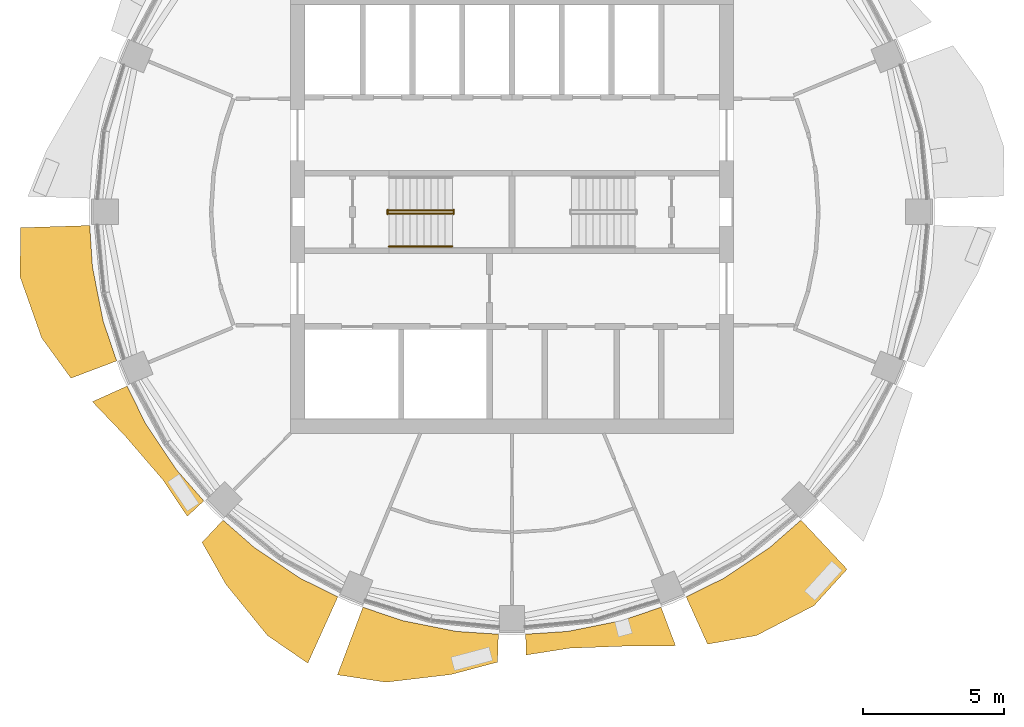
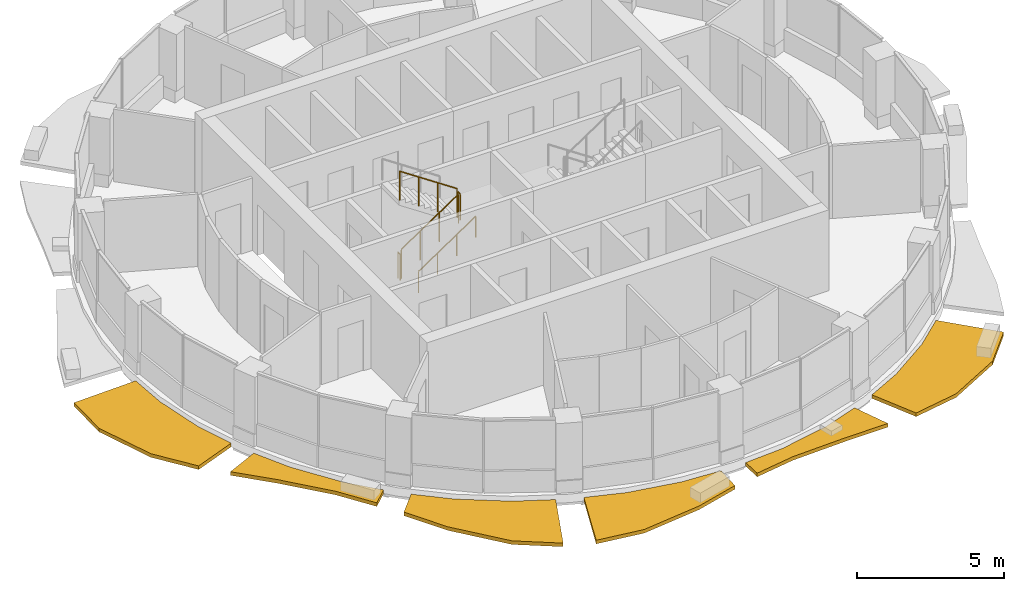
# One storey, part 11 of 14: 6 shading devices, 5 railings.
"""IFC4 building model written with IfcOpenShell, lengths in metres."""

from ifc_helpers import new_model, si_unit, direction, frame, origin, origin_2d, place, context, subcontext, project, spatial, polyline, circle, outline, extrude, material, type_object, element, save


model = new_model("IFC4")

# Units and contexts
model_context = context("Model", 3, precision=1e-05, world=origin(), true_north=direction((0.0, 1.0)))
body_context = subcontext(model_context, "Body", "Model", "MODEL_VIEW")
ifc_project = project(units=[si_unit("LENGTHUNIT", "METRE"), si_unit("AREAUNIT", "SQUARE_METRE"), si_unit("VOLUMEUNIT", "CUBIC_METRE"), si_unit("PLANEANGLEUNIT", "RADIAN"), si_unit("MASSUNIT", "GRAM", prefix="KILO")], contexts=[model_context])

# Site, building, storey
site_placement = place(None, origin())
site = spatial("IfcSite", under=ifc_project, at=site_placement, CompositionType="ELEMENT")
building_placement = place(site_placement, origin())
building = spatial("IfcBuilding", under=site, at=building_placement, Name="Polderwave Tower", CompositionType="ELEMENT")
storey_placement = place(building_placement, frame((0.0, 0.0, 227.85009765625)))
storey = spatial("IfcBuildingStorey", under=building, at=storey_placement, Name="L62", CompositionType="ELEMENT", Elevation=227.85009765625)

# Railings
ifc_material_1 = material(Name="Stainless steel", Category="steel")
railing_type_1 = type_object("IfcRailingType", Name="Stair guard 1100", PredefinedType="GUARDRAIL", material=ifc_material_1)
railing_1_placement = place(storey_placement, frame((-4.3740234375, -0.051025390625, 0.04736328125)))
element("IfcRailing", 1, at=railing_1_placement, inside=storey, type_object=railing_type_1, Name="L62 ST-A stair guard 1", PredefinedType="GUARDRAIL", context=body_context, shape_type="SweptSolid", body=[
    extrude(circle(Radius=0.02392578125, at=origin_2d()), frame((0.0, 0.0, 1.1962890625), z_axis=(0.830799990696, 0.0, 0.556571087517), x_axis=(0.0, 1.0, 0.0)), (0.0, 0.0, 1.0), 2.708251953125),
    extrude(circle(Radius=0.02392578125, at=origin_2d()), origin(), (0.0, 0.0, 1.0), 1.172119140625),
    extrude(circle(Radius=0.02392578125, at=origin_2d()), frame((0.75, 0.0, 0.50244140625)), (0.0, 0.0, 1.0), 1.172119140625),
    extrude(circle(Radius=0.02392578125, at=origin_2d()), frame((1.5, 0.0, 1.0048828125)), (0.0, 0.0, 1.0), 1.172119140625),
    extrude(circle(Radius=0.02392578125, at=origin_2d()), frame((2.25, 0.0, 1.50732421875)), (0.0, 0.0, 1.0), 1.172119140625),
])
railing_2_placement = place(storey_placement, frame((-2.073974609375, -0.074951171875, 1.6748046875)))
element("IfcRailing", 2, at=railing_2_placement, inside=storey, type_object=railing_type_1, Name="L62 ST-A stair guard 2", PredefinedType="GUARDRAIL", context=body_context, shape_type="SweptSolid", body=[
    extrude(circle(Radius=0.02392578125, at=origin_2d()), frame((0.0, 0.0, 1.076171875), z_axis=(0.0, 1.0, 0.0), x_axis=(-1.0, 0.0, 0.0)), (0.0, 0.0, 1.0), 0.14990234375),
    extrude(circle(Radius=0.02099609375, at=origin_2d()), origin(), (0.0, 0.0, 1.0), 1.052001953125),
    extrude(circle(Radius=0.02099609375, at=origin_2d()), frame((0.0, 0.14990234375, 0.0)), (0.0, 0.0, 1.0), 1.052001953125),
])
railing_3_placement = place(storey_placement, frame((-2.1240234375, 0.051025390625, 1.72216796875)))
element("IfcRailing", 3, at=railing_3_placement, inside=storey, type_object=railing_type_1, Name="L62 ST-A stair guard 3", PredefinedType="GUARDRAIL", context=body_context, shape_type="SweptSolid", body=[
    extrude(circle(Radius=0.02392578125, at=origin_2d()), frame((0.0, 0.0, 1.1962890625), z_axis=(-0.830758306289, 0.0, 0.556633305266), x_axis=(0.0, -1.0, 0.0)), (0.0, 0.0, 1.0), 2.708251953125),
    extrude(circle(Radius=0.02392578125, at=origin_2d()), origin(), (0.0, 0.0, 1.0), 1.172119140625),
    extrude(circle(Radius=0.02392578125, at=origin_2d()), frame((-0.75, 0.0, 0.50244140625)), (0.0, 0.0, 1.0), 1.172119140625),
    extrude(circle(Radius=0.02392578125, at=origin_2d()), frame((-1.5, 0.0, 1.005126953125)), (0.0, 0.0, 1.0), 1.172119140625),
    extrude(circle(Radius=0.02392578125, at=origin_2d()), frame((-2.25, 0.0, 1.507568359375)), (0.0, 0.0, 1.0), 1.172119140625),
])
railing_4_placement = place(storey_placement, frame((-4.424072265625, -0.074951171875, 0.0)))
element("IfcRailing", 4, at=railing_4_placement, inside=storey, type_object=railing_type_1, Name="L62 ST-A stair guard 4", PredefinedType="GUARDRAIL", context=body_context, shape_type="SweptSolid", body=[
    extrude(circle(Radius=0.02392578125, at=origin_2d()), frame((0.0, 0.0, 1.076171875), z_axis=(0.0, 1.0, 0.0), x_axis=(-1.0, 0.0, 0.0)), (0.0, 0.0, 1.0), 0.14990234375),
    extrude(circle(Radius=0.02099609375, at=origin_2d()), origin(), (0.0, 0.0, 1.0), 1.052001953125),
    extrude(circle(Radius=0.02099609375, at=origin_2d()), frame((0.0, 0.14990234375, 0.0)), (0.0, 0.0, 1.0), 1.052001953125),
])
railing_type_2 = type_object("IfcRailingType", Name="Stair handrail 900", PredefinedType="HANDRAIL", material=ifc_material_1)
railing_5_placement = place(storey_placement, frame((-4.3740234375, -1.22509765625, 0.16748046875)))
element("IfcRailing", 5, at=railing_5_placement, inside=storey, type_object=railing_type_2, Name="L62 ST-A stair handrail 1", PredefinedType="HANDRAIL", context=body_context, shape_type="SweptSolid", body=[
    extrude(circle(Radius=0.02392578125, at=origin_2d()), frame((0.0, 0.0, 0.8759765625), z_axis=(0.830799990696, 0.0, 0.556571087517), x_axis=(0.0, 1.0, 0.0)), (0.0, 0.0, 1.0), 2.708251953125),
    extrude(circle(Radius=0.02099609375, at=origin_2d()), origin(), (0.0, 0.0, 1.0), 0.851806640625),
    extrude(circle(Radius=0.02099609375, at=origin_2d()), frame((0.75, 0.0, 0.50244140625)), (0.0, 0.0, 1.0), 0.851806640625),
    extrude(circle(Radius=0.02099609375, at=origin_2d()), frame((1.5, 0.0, 1.0048828125)), (0.0, 0.0, 1.0), 0.851806640625),
    extrude(circle(Radius=0.02099609375, at=origin_2d()), frame((2.25, 0.0, 1.50732421875)), (0.0, 0.0, 1.0), 0.851806640625),
])

# Shading devices
ifc_material_2 = material(Name="Terracotta", Category="masonry")
shading_device_type = type_object("IfcShadingDeviceType", Name="Terracotta sunshade band", PredefinedType="USERDEFINED", material=ifc_material_2)
shading_device_1_placement = place(storey_placement, frame((0.0, 0.0, -0.35009765625)))
element("IfcShadingDevice", 6, at=shading_device_1_placement, inside=storey, type_object=shading_device_type, Name="Sunshade band L62 9", ObjectType="SUNSHADE", PredefinedType="USERDEFINED", context=body_context, shape_type="SweptSolid", body=[
    extrude(outline(polyline([(-15.018310546875, -0.482666015625), (-14.921142578125, -1.96435546875), (-14.537109375, -3.895263671875), (-14.059814453125, -5.30126953125), (-15.684814453125, -5.9140625), (-16.7265625, -4.48193359375), (-17.49755859375, -2.3037109375), (-17.476318359375, -0.561767578125), (-15.018310546875, -0.482666015625)])), origin(), (0.0, 0.0, 1.0), 0.14990234375),
])
shading_device_2_placement = place(storey_placement, frame((0.0, 0.0, -0.35009765625)))
element("IfcShadingDevice", 7, at=shading_device_2_placement, inside=storey, type_object=shading_device_type, Name="Sunshade band L62 10", ObjectType="SUNSHADE", PredefinedType="USERDEFINED", context=body_context, shape_type="SweptSolid", body=[
    extrude(outline(polyline([(-13.6904296875, -6.193359375), (-13.03369140625, -7.52490234375), (-11.93994140625, -9.161865234375), (-10.9609375, -10.2783203125), (-11.546630859375, -10.827392578125), (-12.417236328125, -9.528076171875), (-13.773681640625, -7.952392578125), (-14.924072265625, -6.751220703125), (-13.6904296875, -6.193359375)])), origin(), (0.0, 0.0, 1.0), 0.14990234375),
])
shading_device_3_placement = place(storey_placement, frame((0.0, 0.0, -0.35009765625)))
element("IfcShadingDevice", 8, at=shading_device_3_placement, inside=storey, type_object=shading_device_type, Name="Sunshade band L62 11", ObjectType="SUNSHADE", PredefinedType="USERDEFINED", context=body_context, shape_type="SweptSolid", body=[
    extrude(outline(polyline([(-10.2783203125, -10.9609375), (-9.161865234375, -11.93994140625), (-7.52490234375, -13.03369140625), (-6.193359375, -13.6904296875), (-7.260986328125, -16.05078125), (-8.69775390625, -15.06494140625), (-10.169921875, -13.253662109375), (-11.02294921875, -11.7548828125), (-10.2783203125, -10.9609375)])), origin(), (0.0, 0.0, 1.0), 0.14990234375),
])
shading_device_4_placement = place(storey_placement, frame((0.0, 0.0, -0.35009765625)))
element("IfcShadingDevice", 9, at=shading_device_4_placement, inside=storey, type_object=shading_device_type, Name="Sunshade band L62 12", ObjectType="SUNSHADE", PredefinedType="USERDEFINED", context=body_context, shape_type="SweptSolid", body=[
    extrude(outline(polyline([(-5.30126953125, -14.059814453125), (-3.895263671875, -14.537109375), (-1.96435546875, -14.921142578125), (-0.482666015625, -15.018310546875), (-0.5146484375, -16.013916015625), (-2.166015625, -16.452392578125), (-4.48193359375, -16.7265625), (-6.207763671875, -16.4638671875), (-5.30126953125, -14.059814453125)])), origin(), (0.0, 0.0, 1.0), 0.14990234375),
])
shading_device_5_placement = place(storey_placement, frame((0.0, 0.0, -0.35009765625)))
element("IfcShadingDevice", 10, at=shading_device_5_placement, inside=storey, type_object=shading_device_type, Name="Sunshade band L62 13", ObjectType="SUNSHADE", PredefinedType="USERDEFINED", context=body_context, shape_type="SweptSolid", body=[
    extrude(outline(polyline([(0.482666015625, -15.018310546875), (1.96435546875, -14.921142578125), (3.895263671875, -14.537109375), (5.30126953125, -14.059814453125), (5.817626953125, -15.42919921875), (4.13671875, -15.438720703125), (2.04296875, -15.517578125), (0.506591796875, -15.758544921875), (0.482666015625, -15.018310546875)])), origin(), (0.0, 0.0, 1.0), 0.14990234375),
])
shading_device_6_placement = place(storey_placement, frame((0.0, 0.0, -0.35009765625)))
element("IfcShadingDevice", 11, at=shading_device_6_placement, inside=storey, type_object=shading_device_type, Name="Sunshade band L62 14", ObjectType="SUNSHADE", PredefinedType="USERDEFINED", context=body_context, shape_type="SweptSolid", body=[
    extrude(outline(polyline([(6.193359375, -13.6904296875), (7.52490234375, -13.03369140625), (9.161865234375, -11.93994140625), (10.2783203125, -10.9609375), (11.91796875, -12.70947265625), (10.74365234375, -14.00146484375), (8.69775390625, -15.06494140625), (6.9541015625, -15.372314453125), (6.193359375, -13.6904296875)])), origin(), (0.0, 0.0, 1.0), 0.14990234375),
])

save(model, "model.ifc")
